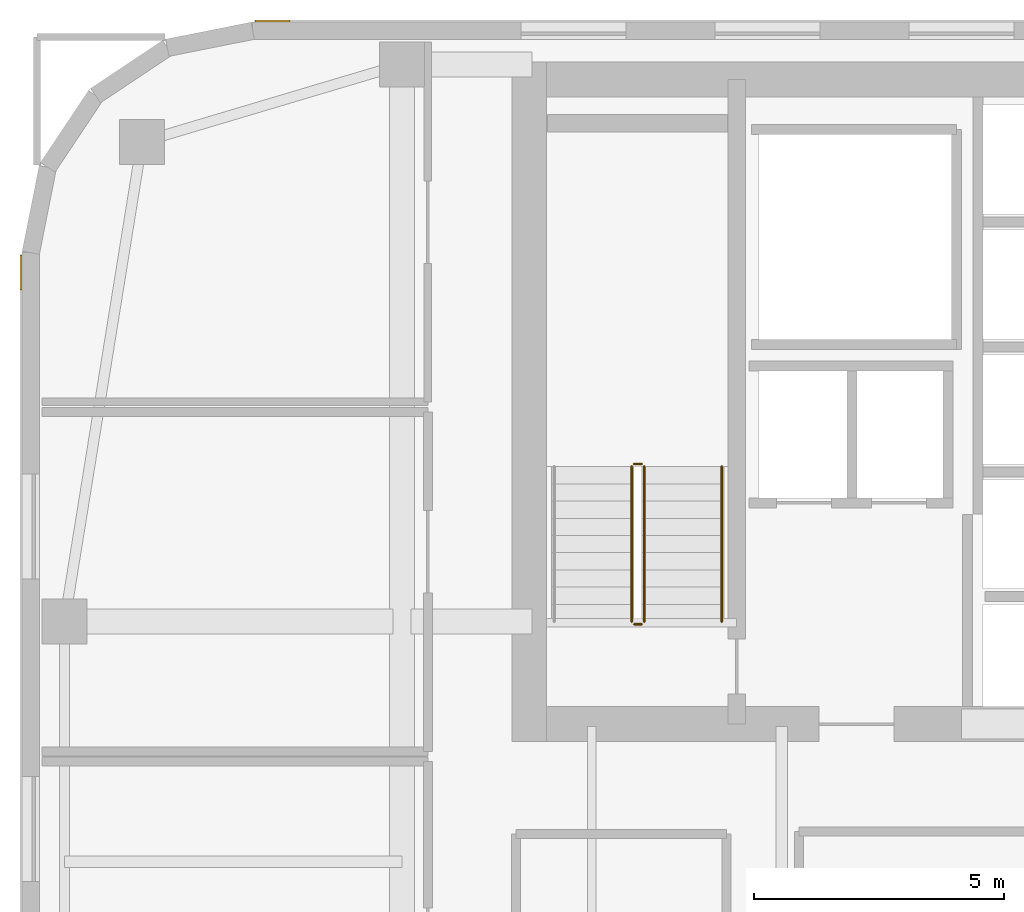
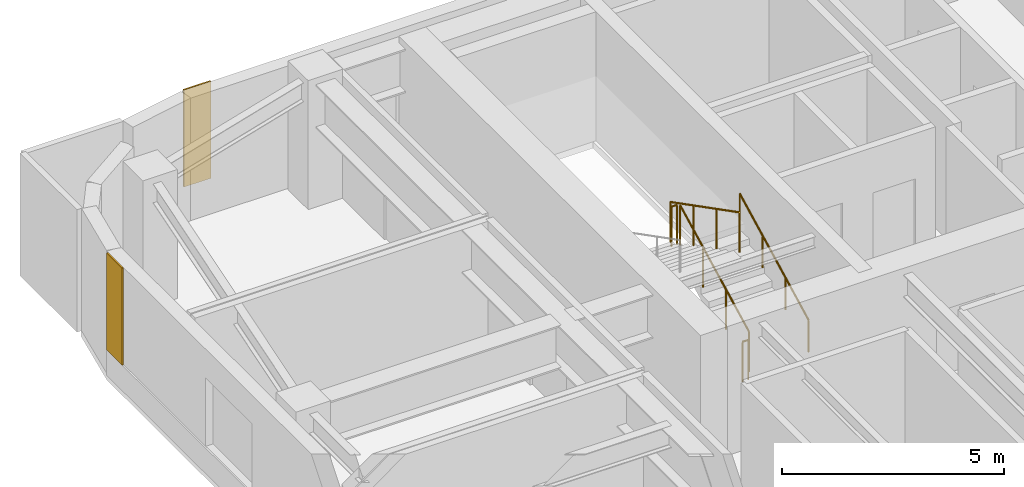
# One storey, part 22 of 24: 5 railings, 2 coverings.
"""IFC4 building model written with IfcOpenShell, lengths in metres."""

from ifc_helpers import new_model, si_unit, direction, frame, origin, origin_2d, place, context, subcontext, project, spatial, polyline, circle, outline, extrude, material, layer, layer_set, type_object, element, save


model = new_model("IFC4")

# Units and contexts
model_context = context("Model", 3, precision=1e-05, world=origin(), true_north=direction((0.0, 1.0)))
body_context = subcontext(model_context, "Body", "Model", "MODEL_VIEW")
ifc_project = project(units=[si_unit("LENGTHUNIT", "METRE"), si_unit("AREAUNIT", "SQUARE_METRE"), si_unit("VOLUMEUNIT", "CUBIC_METRE"), si_unit("PLANEANGLEUNIT", "RADIAN"), si_unit("MASSUNIT", "GRAM", prefix="KILO")], contexts=[model_context])

# Site, building, storey
site_placement = place(None, origin())
site = spatial("IfcSite", under=ifc_project, at=site_placement, CompositionType="ELEMENT")
building_placement = place(site_placement, origin())
building = spatial("IfcBuilding", under=site, at=building_placement, Name="Tolvann Quenvar Hotel", CompositionType="ELEMENT")
storey_placement = place(building_placement, frame((0.0, 0.0, 139.949951171875)))
storey = spatial("IfcBuildingStorey", under=building, at=storey_placement, Name="L36", CompositionType="ELEMENT", Elevation=139.949951171875)

# Coverings
ifc_material_1 = material(Name="Kiln-fired red architectural face brick cladding", Category="masonry")
ifc_layer = layer(ifc_material_1, 0.0400390625)
ifc_layer_set = layer_set([ifc_layer], Name="Kiln-fired red architectural face brick cladding")
covering_type = type_object("IfcCoveringType", Name="COV_CLAD_BRICK_40", PredefinedType="CLADDING", material=ifc_layer_set)
covering_1_placement = place(storey_placement, frame((0.0, 0.0, 0.699951171875)))
element("IfcCovering", 1, at=covering_1_placement, inside=storey, type_object=covering_type, Name="Brick Pier Cladding (L36-E18-P2)", PredefinedType="CLADDING", context=body_context, shape_type="SweptSolid", body=[
    extrude(outline(polyline([(5.3671875, 46.0), (4.667236328125, 46.0), (4.667236328125, 46.0400390625), (5.3671875, 46.0400390625), (5.3671875, 46.0)])), origin(), (0.0, 0.0, 1.0), 2.670166015625),
])
covering_2_placement = place(storey_placement, frame((0.0, 0.0, 0.699951171875)))
element("IfcCovering", 2, at=covering_2_placement, inside=storey, type_object=covering_type, Name="Brick Pier Cladding (L36-E23-P1)", PredefinedType="CLADDING", context=body_context, shape_type="SweptSolid", body=[
    extrude(outline(polyline([(0.0, 41.332763671875), (0.0, 40.6328125), (-0.0400390625, 40.6328125), (-0.0400390625, 41.332763671875), (0.0, 41.332763671875)])), origin(), (0.0, 0.0, 1.0), 2.670166015625),
])

# Railings
ifc_material_2 = material(Name="Brushed 316 stainless steel balustrade and handrail", Category="steel")
railing_type_1 = type_object("IfcRailingType", Name="GUARDRAIL", PredefinedType="GUARDRAIL", material=ifc_material_2)
railing_1_placement = place(storey_placement, frame((12.449951171875, 34.0, 0.177490234375)))
element("IfcRailing", 3, at=railing_1_placement, inside=storey, type_object=railing_type_1, Name="L36 ST-C1 stair guard 1", PredefinedType="GUARDRAIL", context=body_context, shape_type="SweptSolid", body=[
    extrude(circle(Radius=0.02392578125, at=origin_2d()), frame((0.0, 0.0, 1.09619140625), z_axis=(0.0, 0.88919353882, 0.457531256332), x_axis=(-1.0, 0.0, 0.0)), (0.0, 0.0, 1.0), 3.491943359375),
    extrude(circle(Radius=0.02099609375, at=origin_2d()), origin(), (0.0, 0.0, 1.0), 1.072021484375),
    extrude(circle(Radius=0.02099609375, at=origin_2d()), frame((0.0, 1.034912109375, 0.532470703125)), (0.0, 0.0, 1.0), 1.072021484375),
    extrude(circle(Radius=0.02099609375, at=origin_2d()), frame((0.0, 2.070068359375, 1.065185546875)), (0.0, 0.0, 1.0), 1.072021484375),
    extrude(circle(Radius=0.02099609375, at=origin_2d()), frame((0.0, 3.10498046875, 1.59765625)), (0.0, 0.0, 1.0), 1.072021484375),
])
railing_2_placement = place(storey_placement, frame((12.39990234375, 37.155029296875, 1.775146484375)))
element("IfcRailing", 4, at=railing_2_placement, inside=storey, type_object=railing_type_1, Name="L36 ST-C1 stair guard 2", PredefinedType="GUARDRAIL", context=body_context, shape_type="SweptSolid", body=[
    extrude(circle(Radius=0.02392578125, at=origin_2d()), frame((0.0, 0.0, 1.09619140625), z_axis=(-1.0, 0.0, 0.0), x_axis=(0.0, -1.0, 0.0)), (0.0, 0.0, 1.0), 0.14990234375),
    extrude(circle(Radius=0.02099609375, at=origin_2d()), origin(), (0.0, 0.0, 1.0), 1.072021484375),
    extrude(circle(Radius=0.02099609375, at=origin_2d()), frame((-0.14990234375, 0.0, 0.0)), (0.0, 0.0, 1.0), 1.072021484375),
])
railing_3_placement = place(storey_placement, frame((12.199951171875, 37.10498046875, 1.95263671875)))
element("IfcRailing", 5, at=railing_3_placement, inside=storey, type_object=railing_type_1, Name="L36 ST-C1 stair guard 3", PredefinedType="GUARDRAIL", context=body_context, shape_type="SweptSolid", body=[
    extrude(circle(Radius=0.02392578125, at=origin_2d()), frame((0.0, 0.0, 1.09619140625), z_axis=(0.0, -0.889221982265, 0.45747597342), x_axis=(1.0, 0.0, 0.0)), (0.0, 0.0, 1.0), 3.49169921875),
    extrude(circle(Radius=0.02099609375, at=origin_2d()), origin(), (0.0, 0.0, 1.0), 1.072021484375),
    extrude(circle(Radius=0.02099609375, at=origin_2d()), frame((0.0, -1.034912109375, 0.532470703125)), (0.0, 0.0, 1.0), 1.072021484375),
    extrude(circle(Radius=0.02099609375, at=origin_2d()), frame((0.0, -2.070068359375, 1.06494140625)), (0.0, 0.0, 1.0), 1.072021484375),
    extrude(circle(Radius=0.02099609375, at=origin_2d()), frame((0.0, -3.10498046875, 1.597412109375)), (0.0, 0.0, 1.0), 1.072021484375),
])
railing_4_placement = place(storey_placement, frame((12.39990234375, 33.949951171875, 0.0)))
element("IfcRailing", 6, at=railing_4_placement, inside=storey, type_object=railing_type_1, Name="L36 ST-C1 stair guard 4", PredefinedType="GUARDRAIL", context=body_context, shape_type="SweptSolid", body=[
    extrude(circle(Radius=0.02392578125, at=origin_2d()), frame((0.0, 0.0, 1.09619140625), z_axis=(-1.0, 0.0, 0.0), x_axis=(0.0, -1.0, 0.0)), (0.0, 0.0, 1.0), 0.14990234375),
    extrude(circle(Radius=0.02099609375, at=origin_2d()), origin(), (0.0, 0.0, 1.0), 1.072021484375),
    extrude(circle(Radius=0.02099609375, at=origin_2d()), frame((-0.14990234375, 0.0, 0.0)), (0.0, 0.0, 1.0), 1.072021484375),
])
railing_type_2 = type_object("IfcRailingType", Name="HANDRAIL", PredefinedType="HANDRAIL", material=ifc_material_2)
railing_5_placement = place(storey_placement, frame((14.0, 34.0, 0.177490234375)))
element("IfcRailing", 7, at=railing_5_placement, inside=storey, type_object=railing_type_2, Name="L36 ST-C1 stair handrail 1", PredefinedType="HANDRAIL", context=body_context, shape_type="SweptSolid", body=[
    extrude(circle(Radius=0.02392578125, at=origin_2d()), frame((0.0, 0.0, 0.8759765625), z_axis=(0.0, 0.88919353882, 0.457531256332), x_axis=(-1.0, 0.0, 0.0)), (0.0, 0.0, 1.0), 3.491943359375),
    extrude(circle(Radius=0.02099609375, at=origin_2d()), origin(), (0.0, 0.0, 1.0), 0.851806640625),
    extrude(circle(Radius=0.02099609375, at=origin_2d()), frame((0.0, 1.034912109375, 0.532470703125)), (0.0, 0.0, 1.0), 0.851806640625),
    extrude(circle(Radius=0.02099609375, at=origin_2d()), frame((0.0, 2.070068359375, 1.065185546875)), (0.0, 0.0, 1.0), 0.851806640625),
    extrude(circle(Radius=0.02099609375, at=origin_2d()), frame((0.0, 3.10498046875, 1.59765625)), (0.0, 0.0, 1.0), 0.851806640625),
])

save(model, "model.ifc")
